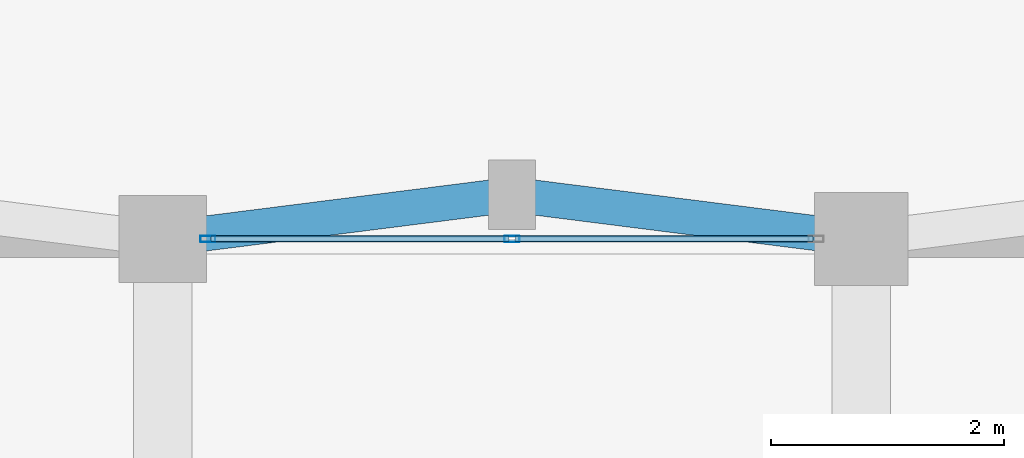
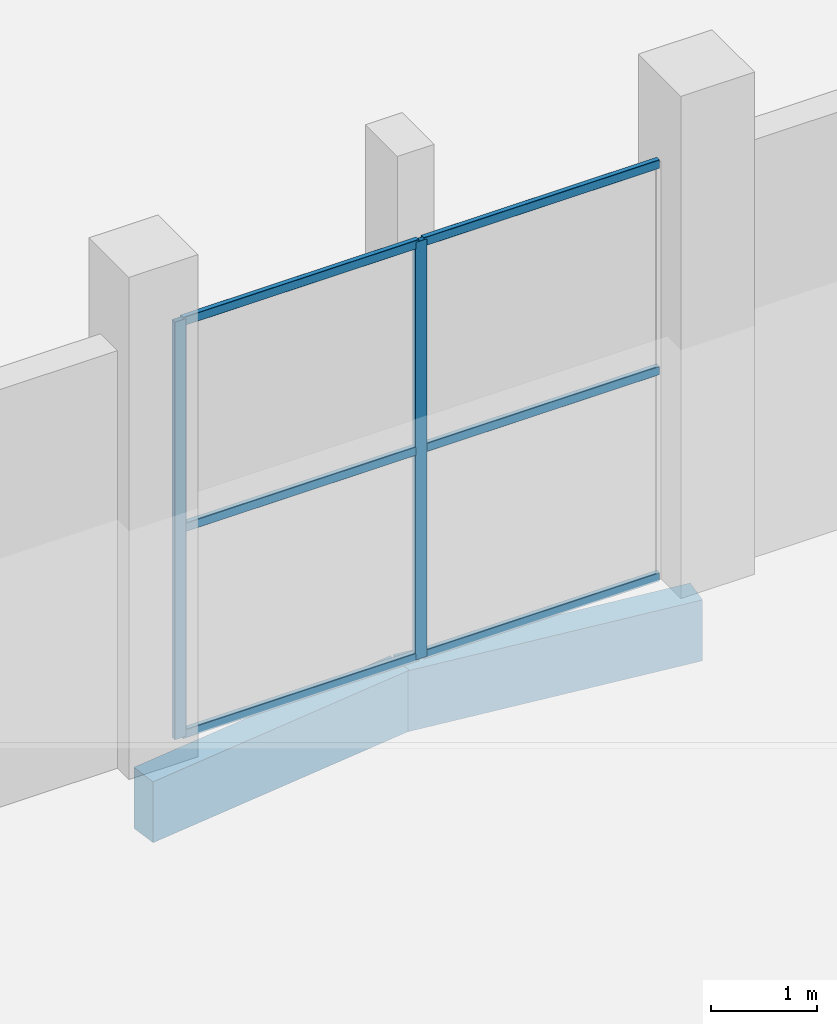
# One storey, part 41 of 103: 8 members, 2 beams, 1 element without a shape of its own.
"""IFC4 building model written with IfcOpenShell, lengths in metres."""

from ifc_helpers import new_model, si_unit, direction, frame, origin, origin_2d, place, context, subcontext, project, spatial, rectangle, hollow_rectangle, extrude, material, layer, layer_set, material_profile, profile_set, type_object, element, aggregate, save


model = new_model("IFC4")

# Units and contexts
model_context = context("Model", 3, precision=1e-05, world=origin(), true_north=direction((0.0, 1.0)))
body_context = subcontext(model_context, "Body", "Model", "MODEL_VIEW")
ifc_project = project(units=[si_unit("LENGTHUNIT", "METRE"), si_unit("AREAUNIT", "SQUARE_METRE"), si_unit("VOLUMEUNIT", "CUBIC_METRE"), si_unit("PLANEANGLEUNIT", "RADIAN"), si_unit("MASSUNIT", "GRAM", prefix="KILO")], contexts=[model_context])

# Site, building, storey
site_placement = place(None, origin())
site = spatial("IfcSite", under=ifc_project, at=site_placement, CompositionType="ELEMENT")
building_placement = place(site_placement, origin())
building = spatial("IfcBuilding", under=site, at=building_placement, Name="Dunvalen Ferry Terminal", CompositionType="ELEMENT")
storey_placement = place(building_placement, origin())
storey = spatial("IfcBuildingStorey", under=building, at=storey_placement, Name="L00", CompositionType="ELEMENT", Elevation=0.0)

# Curtain wall, members
ifc_material_1 = material(Name="Anodised marine aluminium and solar-control glazing", Category="aluminium")
ifc_layer = layer(ifc_material_1, 0.14990234375, Name="Anodised marine aluminium and solar-control glazing")
ifc_layer_set = layer_set([ifc_layer], Name="Anodised marine aluminium and solar-control glazing")
curtain_wall_type = type_object("IfcCurtainWallType", Name="ENV-CW-SYS-11", PredefinedType="NOTDEFINED", material=ifc_layer_set)
curtain_wall_placement = place(storey_placement, origin())
curtain_wall = element("IfcCurtainWall", 1, at=curtain_wall_placement, inside=storey, type_object=curtain_wall_type, Name="L00 Curtain Wall CW-V5CORE-L00-7-7", PredefinedType="NOTDEFINED")
ifc_material_2 = material(Name="Anodised marine aluminium EN AW-6063 T6", Category="aluminium")
ifc_material_profile_1 = material_profile(ifc_material_2, hollow_rectangle(XDim=0.054931640625, YDim=0.1298828125, WallThickness=0.003173828125, InnerFilletRadius=0.003173828125, OuterFilletRadius=0.00634765625, at=origin_2d()), Name="Anodised marine aluminium EN AW-6063 T6")
ifc_profile_set_1 = profile_set([ifc_material_profile_1], Name="Anodised marine aluminium EN AW-6063 T6")
member_type_1 = type_object("IfcMemberType", Name="ENV-CW-MUL-4", PredefinedType="MULLION", material=ifc_profile_set_1)
member_1_placement = place(storey_placement, frame((45.0, 36.0, 0.0), z_axis=(0.0, 0.0, 1.0), x_axis=(0.0, -1.0, 0.0)))
member_1 = element("IfcMember", 2, at=member_1_placement, type_object=member_type_1, Name="CW-11 mullion 2", PredefinedType="MULLION", context=body_context, shape_type="SweptSolid", body=[
    extrude(hollow_rectangle(XDim=0.054931640625, YDim=0.1298828125, WallThickness=0.003173828125, InnerFilletRadius=0.003173828125, OuterFilletRadius=0.00634765625, at=origin_2d()), origin(), (0.0, 0.0, 1.0), 4.7900390625),
])
member_2_placement = place(storey_placement, frame((42.387451171875, 36.0, 0.0), z_axis=(0.0, 0.0, 1.0), x_axis=(0.0, -1.0, 0.0)))
member_2 = element("IfcMember", 3, at=member_2_placement, type_object=member_type_1, Name="CW-11 mullion 3", PredefinedType="MULLION", context=body_context, shape_type="SweptSolid", body=[
    extrude(hollow_rectangle(XDim=0.054931640625, YDim=0.1298828125, WallThickness=0.003173828125, InnerFilletRadius=0.003173828125, OuterFilletRadius=0.00634765625, at=origin_2d()), origin(), (0.0, 0.0, 1.0), 4.7900390625),
])
ifc_material_profile_2 = material_profile(ifc_material_2, hollow_rectangle(XDim=0.054931640625, YDim=0.10009765625, WallThickness=0.0029296875, InnerFilletRadius=0.0029296875, OuterFilletRadius=0.006103515625, at=origin_2d()), Name="Anodised marine aluminium EN AW-6063 T6")
ifc_profile_set_2 = profile_set([ifc_material_profile_2], Name="Anodised marine aluminium EN AW-6063 T6")
member_type_2 = type_object("IfcMemberType", Name="ENV-CW-TRN-4", PredefinedType="USERDEFINED", material=ifc_profile_set_2)
member_3_placement = place(storey_placement, frame((47.5849609375, 36.0, 0.027587890625), z_axis=(-1.0, 0.0, 0.0), x_axis=(0.0, -1.0, 0.0)))
member_3 = element("IfcMember", 4, at=member_3_placement, type_object=member_type_2, Name="CW-11 transom 1.1", ObjectType="TRANSOM", PredefinedType="USERDEFINED", context=body_context, shape_type="SweptSolid", body=[
    extrude(hollow_rectangle(XDim=0.054931640625, YDim=0.10009765625, WallThickness=0.0029296875, InnerFilletRadius=0.0029296875, OuterFilletRadius=0.006103515625, at=origin_2d()), origin(), (0.0, 0.0, 1.0), 2.557373046875),
])
member_4_placement = place(storey_placement, frame((47.5849609375, 36.0, 2.39501953125), z_axis=(-1.0, 0.0, 0.0), x_axis=(0.0, -1.0, 0.0)))
member_4 = element("IfcMember", 5, at=member_4_placement, type_object=member_type_2, Name="CW-11 transom 1.2", ObjectType="TRANSOM", PredefinedType="USERDEFINED", context=body_context, shape_type="SweptSolid", body=[
    extrude(hollow_rectangle(XDim=0.054931640625, YDim=0.10009765625, WallThickness=0.0029296875, InnerFilletRadius=0.0029296875, OuterFilletRadius=0.006103515625, at=origin_2d()), origin(), (0.0, 0.0, 1.0), 2.557373046875),
])
member_5_placement = place(storey_placement, frame((47.5849609375, 36.0, 4.762451171875), z_axis=(-1.0, 0.0, 0.0), x_axis=(0.0, -1.0, 0.0)))
member_5 = element("IfcMember", 6, at=member_5_placement, type_object=member_type_2, Name="CW-11 transom 1.3", ObjectType="TRANSOM", PredefinedType="USERDEFINED", context=body_context, shape_type="SweptSolid", body=[
    extrude(hollow_rectangle(XDim=0.054931640625, YDim=0.10009765625, WallThickness=0.0029296875, InnerFilletRadius=0.0029296875, OuterFilletRadius=0.006103515625, at=origin_2d()), origin(), (0.0, 0.0, 1.0), 2.557373046875),
])
member_6_placement = place(storey_placement, frame((44.972412109375, 36.0, 0.027587890625), z_axis=(-1.0, 0.0, 0.0), x_axis=(0.0, -1.0, 0.0)))
member_6 = element("IfcMember", 7, at=member_6_placement, type_object=member_type_2, Name="CW-11 transom 2.1", ObjectType="TRANSOM", PredefinedType="USERDEFINED", context=body_context, shape_type="SweptSolid", body=[
    extrude(hollow_rectangle(XDim=0.054931640625, YDim=0.10009765625, WallThickness=0.0029296875, InnerFilletRadius=0.0029296875, OuterFilletRadius=0.006103515625, at=origin_2d()), origin(), (0.0, 0.0, 1.0), 2.557373046875),
])
member_7_placement = place(storey_placement, frame((44.972412109375, 36.0, 2.39501953125), z_axis=(-1.0, 0.0, 0.0), x_axis=(0.0, -1.0, 0.0)))
member_7 = element("IfcMember", 8, at=member_7_placement, type_object=member_type_2, Name="CW-11 transom 2.2", ObjectType="TRANSOM", PredefinedType="USERDEFINED", context=body_context, shape_type="SweptSolid", body=[
    extrude(hollow_rectangle(XDim=0.054931640625, YDim=0.10009765625, WallThickness=0.0029296875, InnerFilletRadius=0.0029296875, OuterFilletRadius=0.006103515625, at=origin_2d()), origin(), (0.0, 0.0, 1.0), 2.557373046875),
])
member_8_placement = place(storey_placement, frame((44.972412109375, 36.0, 4.762451171875), z_axis=(-1.0, 0.0, 0.0), x_axis=(0.0, -1.0, 0.0)))
member_8 = element("IfcMember", 9, at=member_8_placement, type_object=member_type_2, Name="CW-11 transom 2.3", ObjectType="TRANSOM", PredefinedType="USERDEFINED", context=body_context, shape_type="SweptSolid", body=[
    extrude(hollow_rectangle(XDim=0.054931640625, YDim=0.10009765625, WallThickness=0.0029296875, InnerFilletRadius=0.0029296875, OuterFilletRadius=0.006103515625, at=origin_2d()), origin(), (0.0, 0.0, 1.0), 2.557373046875),
])
aggregate(curtain_wall, [member_1, member_2, member_3, member_4, member_5, member_6, member_7, member_8])

# Beams
ifc_material_3 = material(Name="Concrete C40/50", Category="concrete")
ifc_material_profile_3 = material_profile(ifc_material_3, rectangle(XDim=0.300048828125, YDim=0.699951171875, at=origin_2d()), Name="Concrete C40/50")
ifc_profile_set_3 = profile_set([ifc_material_profile_3], Name="Concrete C40/50")
beam_type = type_object("IfcBeamType", Name="STR-BM-RCSP700", PredefinedType="SPANDREL", material=ifc_profile_set_3)
for number, where, z_axis, x_axis, name in (
    (10, (42.0, 36.0, -0.64990234375), (0.992077869489, 0.12562444376, 0.0), (-0.12562444376, 0.992077869489, 0.0), "L00 Passage Pilaster Spandrel Tie 06.1"),
    (11, (45.0, 36.3798828125, -0.64990234375), (0.992077869489, -0.12562444376, 0.0), (0.12562444376, 0.992077869489, 0.0), "L00 Passage Pilaster Spandrel Tie 06.2"),
):
    element("IfcBeam", number, at=place(storey_placement, frame(where, z_axis=z_axis, x_axis=x_axis)), inside=storey, type_object=beam_type, Name=name, PredefinedType="SPANDREL", context=body_context, shape_type="SweptSolid", body=[
        extrude(rectangle(XDim=0.300048828125, YDim=0.699951171875, at=origin_2d()), origin(), (0.0, 0.0, 1.0), 3.02392578125),
    ])

save(model, "model.ifc")
